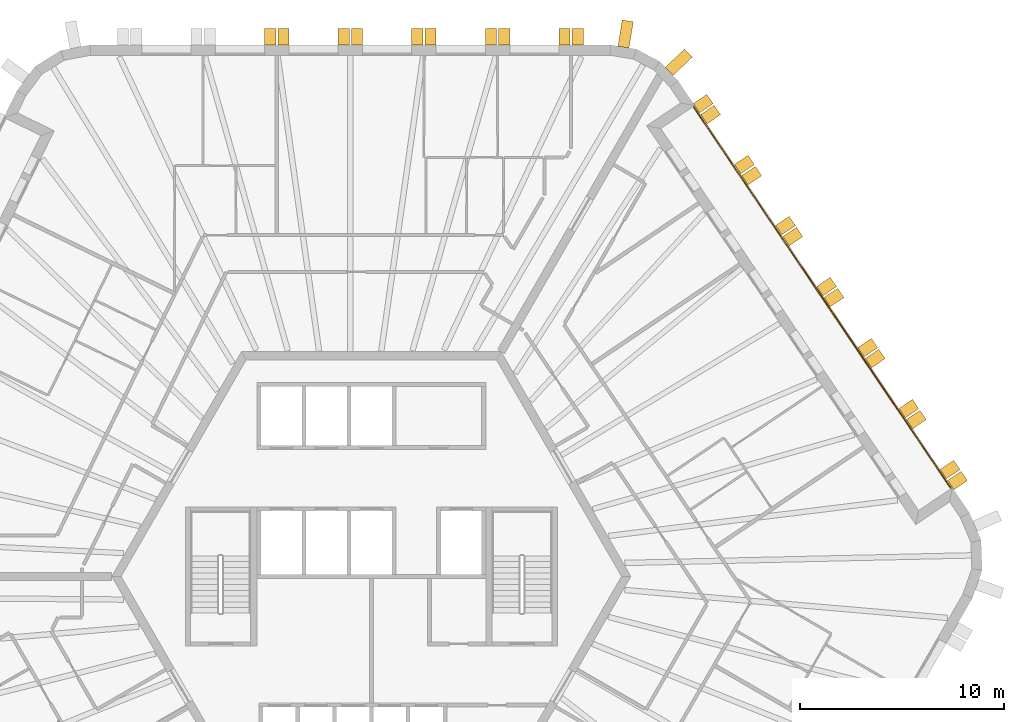
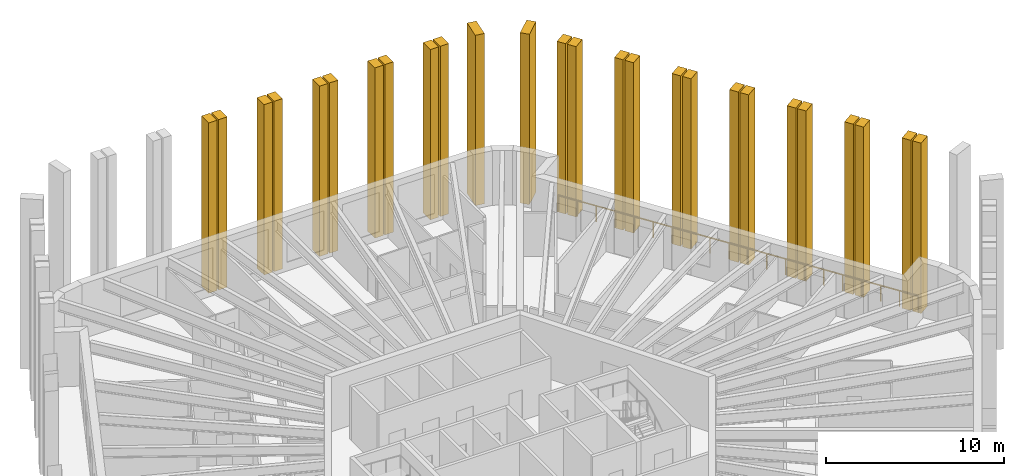
# One storey, part 13 of 13: 26 shading devices, 1 railing.
"""IFC4 building model written with IfcOpenShell, lengths in metres."""

from ifc_helpers import new_model, si_unit, direction, frame, origin, origin_2d, place, context, subcontext, project, spatial, polyline, circle, outline, extrude, material, layer, layer_set, type_object, element, save


model = new_model("IFC4")

# Units and contexts
model_context = context("Model", 3, precision=1e-05, world=origin(), true_north=direction((0.0, 1.0)))
body_context = subcontext(model_context, "Body", "Model", "MODEL_VIEW")
ifc_project = project(units=[si_unit("LENGTHUNIT", "METRE"), si_unit("AREAUNIT", "SQUARE_METRE"), si_unit("VOLUMEUNIT", "CUBIC_METRE"), si_unit("PLANEANGLEUNIT", "RADIAN"), si_unit("MASSUNIT", "GRAM", prefix="KILO")], contexts=[model_context])

# Site, building, storey
site_placement = place(None, origin())
site = spatial("IfcSite", under=ifc_project, at=site_placement, CompositionType="ELEMENT")
building_placement = place(site_placement, origin())
building = spatial("IfcBuilding", under=site, at=building_placement, Name="Tarnside Tower", CompositionType="ELEMENT")
storey_placement = place(building_placement, frame((0.0, 0.0, 314.699951171875)))
storey = spatial("IfcBuildingStorey", under=building, at=storey_placement, Name="L76", CompositionType="ELEMENT", Elevation=314.699951171875)

# Railing
ifc_material_1 = material(Name="Toughened glass", Category="glass")
railing_type = type_object("IfcRailingType", Name="Glass guard 1100", PredefinedType="GUARDRAIL", material=ifc_material_1)
railing_placement = place(storey_placement, frame((28.365234375, 4.299560546875, 0.0)))
element("IfcRailing", 1, at=railing_placement, inside=storey, type_object=railing_type, Name="Loggia guard L76 F6", PredefinedType="GUARDRAIL", context=body_context, shape_type="SweptSolid", body=[
    extrude(circle(Radius=0.030029296875, at=origin_2d()), frame((0.0, 0.0, 1.070068359375), z_axis=(-0.559195329741, 0.82903593601, 0.0), x_axis=(-0.82903593601, -0.559195329741, 0.0)), (0.0, 0.0, 1.0), 22.544677734375),
    extrude(circle(Radius=0.02490234375, at=origin_2d()), origin(), (0.0, 0.0, 1.0), 1.0400390625),
    extrude(circle(Radius=0.02490234375, at=origin_2d()), frame((-0.66357421875, 0.983642578125, 0.0)), (0.0, 0.0, 1.0), 1.0400390625),
    extrude(circle(Radius=0.02490234375, at=origin_2d()), frame((-1.3271484375, 1.967529296875, 0.0)), (0.0, 0.0, 1.0), 1.0400390625),
    extrude(circle(Radius=0.02490234375, at=origin_2d()), frame((-1.990478515625, 2.951171875, 0.0)), (0.0, 0.0, 1.0), 1.0400390625),
    extrude(circle(Radius=0.02490234375, at=origin_2d()), frame((-2.654052734375, 3.934814453125, 0.0)), (0.0, 0.0, 1.0), 1.0400390625),
    extrude(circle(Radius=0.02490234375, at=origin_2d()), frame((-3.317626953125, 4.91845703125, 0.0)), (0.0, 0.0, 1.0), 1.0400390625),
    extrude(circle(Radius=0.02490234375, at=origin_2d()), frame((-3.981201171875, 5.90234375, 0.0)), (0.0, 0.0, 1.0), 1.0400390625),
    extrude(circle(Radius=0.02490234375, at=origin_2d()), frame((-4.644775390625, 6.885986328125, 0.0)), (0.0, 0.0, 1.0), 1.0400390625),
    extrude(circle(Radius=0.02490234375, at=origin_2d()), frame((-5.30810546875, 7.86962890625, 0.0)), (0.0, 0.0, 1.0), 1.0400390625),
    extrude(circle(Radius=0.02490234375, at=origin_2d()), frame((-5.9716796875, 8.853271484375, 0.0)), (0.0, 0.0, 1.0), 1.0400390625),
    extrude(circle(Radius=0.02490234375, at=origin_2d()), frame((-6.63525390625, 9.837158203125, 0.0)), (0.0, 0.0, 1.0), 1.0400390625),
    extrude(circle(Radius=0.02490234375, at=origin_2d()), frame((-7.298828125, 10.82080078125, 0.0)), (0.0, 0.0, 1.0), 1.0400390625),
    extrude(circle(Radius=0.02490234375, at=origin_2d()), frame((-7.962158203125, 11.804443359375, 0.0)), (0.0, 0.0, 1.0), 1.0400390625),
    extrude(circle(Radius=0.02490234375, at=origin_2d()), frame((-8.625732421875, 12.7880859375, 0.0)), (0.0, 0.0, 1.0), 1.0400390625),
    extrude(circle(Radius=0.02490234375, at=origin_2d()), frame((-9.289306640625, 13.77197265625, 0.0)), (0.0, 0.0, 1.0), 1.0400390625),
    extrude(circle(Radius=0.02490234375, at=origin_2d()), frame((-9.952880859375, 14.755615234375, 0.0)), (0.0, 0.0, 1.0), 1.0400390625),
    extrude(circle(Radius=0.02490234375, at=origin_2d()), frame((-10.616455078125, 15.7392578125, 0.0)), (0.0, 0.0, 1.0), 1.0400390625),
    extrude(circle(Radius=0.02490234375, at=origin_2d()), frame((-11.27978515625, 16.722900390625, 0.0)), (0.0, 0.0, 1.0), 1.0400390625),
    extrude(circle(Radius=0.02490234375, at=origin_2d()), frame((-11.943359375, 17.706787109375, 0.0)), (0.0, 0.0, 1.0), 1.0400390625),
    extrude(circle(Radius=0.02490234375, at=origin_2d()), frame((-12.60693359375, 18.6904296875, 0.0)), (0.0, 0.0, 1.0), 1.0400390625),
])

# Shading devices
ifc_material_2 = material(Name="Concrete C50/60 white precast", Category="concrete")
ifc_layer_1 = layer(ifc_material_2, 0.550048828125)
ifc_layer_set_1 = layer_set([ifc_layer_1], Name="Precast fin 550 x 1300")
shading_device_type_1 = type_object("IfcShadingDeviceType", Name="Precast fin 550 x 1300", PredefinedType="USERDEFINED", material=ifc_layer_set_1)
for number, where, z_axis, x_axis, name in (
    (2, (14.571044921875, 24.7109375, -0.14990234375), (0.686241637865, -0.727373641577, 0.0), (0.727373641577, 0.686241637865, 0.0), "Precast fin"),
    (3, (12.33837890625, 25.89794921875, -0.14990234375), (0.986761532114, -0.1621779231, 0.0), (0.1621779231, 0.986761532114, 0.0), "Precast fin"),
):
    element("IfcShadingDevice", number, at=place(storey_placement, frame(where, z_axis=z_axis, x_axis=x_axis)), inside=storey, type_object=shading_device_type_1, Name=name, ObjectType="FIN", PredefinedType="USERDEFINED", context=body_context, shape_type="SweptSolid", body=[
        extrude(outline(polyline([(0.0, 0.0), (1.300048828125, 0.0), (1.300048828125, 11.699951171875), (0.0, 11.699951171875), (0.0, 0.0)])), frame((0.0, 0.0, -0.27490234375)), (0.0, 0.0, 1.0), 0.550048828125),
    ])
ifc_layer_2 = layer(ifc_material_2, 0.550048828125)
ifc_layer_set_2 = layer_set([ifc_layer_2], Name="Precast fin 550 x 800")
shading_device_type_2 = type_object("IfcShadingDeviceType", Name="Precast fin 550 x 800", PredefinedType="USERDEFINED", material=ifc_layer_set_2)
for number, where, z_axis, x_axis, name in (
    (4, (10.10009765625, 26.0, -0.14990234375), (1.0, 0.0, 0.0), (0.0, 1.0, 0.0), "Precast fin"),
    (5, (9.4501953125, 26.0, -0.14990234375), (1.0, 0.0, 0.0), (0.0, 1.0, 0.0), "Precast fin"),
    (6, (6.500244140625, 26.0, -0.14990234375), (1.0, 0.0, 0.0), (0.0, 1.0, 0.0), "Precast fin"),
    (7, (5.85009765625, 26.0, -0.14990234375), (1.0, 0.0, 0.0), (0.0, 1.0, 0.0), "Precast fin"),
    (8, (2.900146484375, 26.0, -0.14990234375), (1.0, 0.0, 0.0), (0.0, 1.0, 0.0), "Precast fin"),
    (9, (2.250244140625, 26.0, -0.14990234375), (1.0, 0.0, 0.0), (0.0, 1.0, 0.0), "Precast fin"),
    (10, (-0.69970703125, 26.0, -0.14990234375), (1.0, 0.0, 0.0), (0.0, 1.0, 0.0), "Precast fin"),
    (11, (-1.349853515625, 26.0, -0.14990234375), (1.0, 0.0, 0.0), (0.0, 1.0, 0.0), "Precast fin"),
    (12, (-4.2998046875, 26.0, -0.14990234375), (1.0, 0.0, 0.0), (0.0, 1.0, 0.0), "Precast fin"),
    (13, (-4.94970703125, 26.0, -0.14990234375), (1.0, 0.0, 0.0), (0.0, 1.0, 0.0), "Precast fin"),
    (14, (28.34912109375, 4.466552734375, -0.14990234375), (0.559192903471, -0.829037572555, 0.0), (0.829037572555, 0.559192903471, 0.0), "Precast fin"),
    (15, (27.985595703125, 5.00537109375, -0.14990234375), (0.559192903471, -0.829037572555, 0.0), (0.829037572555, 0.559192903471, 0.0), "Precast fin"),
    (16, (26.3359375, 7.450927734375, -0.14990234375), (0.559192903471, -0.829037572555, 0.0), (0.829037572555, 0.559192903471, 0.0), "Precast fin"),
    (17, (25.972412109375, 7.98974609375, -0.14990234375), (0.559192903471, -0.829037572555, 0.0), (0.829037572555, 0.559192903471, 0.0), "Precast fin"),
    (18, (24.32275390625, 10.435546875, -0.14990234375), (0.559192903471, -0.829037572555, 0.0), (0.829037572555, 0.559192903471, 0.0), "Precast fin"),
    (19, (23.95947265625, 10.974365234375, -0.14990234375), (0.559192903471, -0.829037572555, 0.0), (0.829037572555, 0.559192903471, 0.0), "Precast fin"),
    (20, (22.309814453125, 13.419921875, -0.14990234375), (0.559192903471, -0.829037572555, 0.0), (0.829037572555, 0.559192903471, 0.0), "Precast fin"),
    (21, (21.9462890625, 13.958984375, -0.14990234375), (0.559192903471, -0.829037572555, 0.0), (0.829037572555, 0.559192903471, 0.0), "Precast fin"),
    (22, (20.296630859375, 16.404541015625, -0.14990234375), (0.559192903471, -0.829037572555, 0.0), (0.829037572555, 0.559192903471, 0.0), "Precast fin"),
    (23, (19.93310546875, 16.943359375, -0.14990234375), (0.559192903471, -0.829037572555, 0.0), (0.829037572555, 0.559192903471, 0.0), "Precast fin"),
    (24, (18.283447265625, 19.38916015625, -0.14990234375), (0.559192903471, -0.829037572555, 0.0), (0.829037572555, 0.559192903471, 0.0), "Precast fin"),
    (25, (17.920166015625, 19.927978515625, -0.14990234375), (0.559192903471, -0.829037572555, 0.0), (0.829037572555, 0.559192903471, 0.0), "Precast fin"),
    (26, (16.2705078125, 22.37353515625, -0.14990234375), (0.559192903471, -0.829037572555, 0.0), (0.829037572555, 0.559192903471, 0.0), "Precast fin"),
    (27, (15.906982421875, 22.91259765625, -0.14990234375), (0.559192903471, -0.829037572555, 0.0), (0.829037572555, 0.559192903471, 0.0), "Precast fin"),
):
    element("IfcShadingDevice", number, at=place(storey_placement, frame(where, z_axis=z_axis, x_axis=x_axis)), inside=storey, type_object=shading_device_type_2, Name=name, ObjectType="FIN", PredefinedType="USERDEFINED", context=body_context, shape_type="SweptSolid", body=[
        extrude(outline(polyline([(0.0, 0.0), (0.800048828125, 0.0), (0.800048828125, 11.699951171875), (0.0, 11.699951171875), (0.0, 0.0)])), frame((0.0, 0.0, -0.27490234375)), (0.0, 0.0, 1.0), 0.550048828125),
    ])

save(model, "model.ifc")
